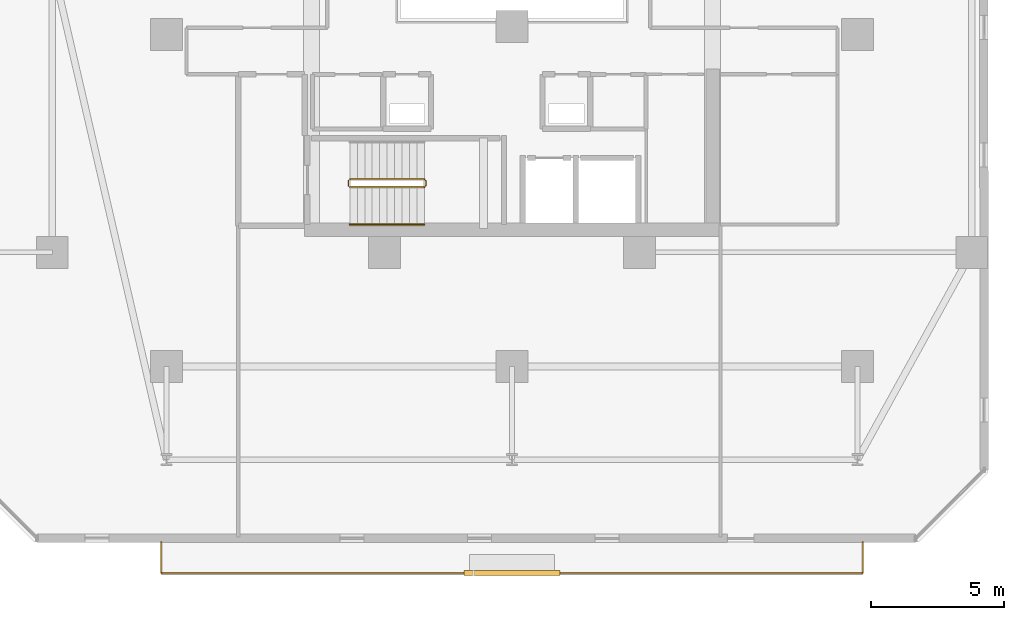
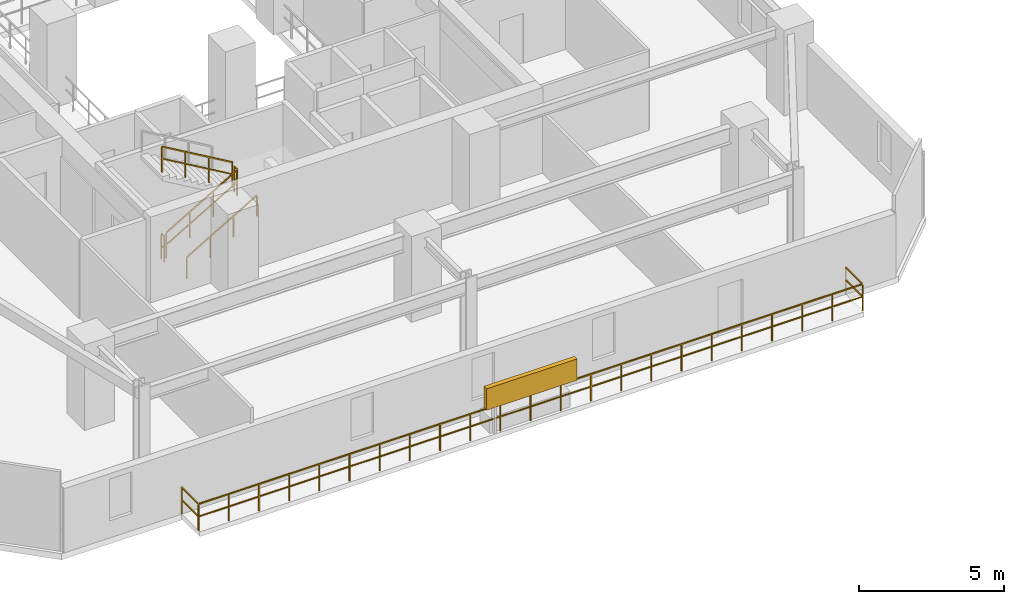
# One storey, part 28 of 32: 6 railings, 1 shading device.
"""IFC4 building model written with IfcOpenShell, lengths in metres."""

from ifc_helpers import new_model, si_unit, direction, frame, origin, origin_2d, place, context, subcontext, project, spatial, rectangle, extrude, material, type_object, element, save


model = new_model("IFC4")

# Units and contexts
model_context = context("Model", 3, precision=1e-05, world=origin(), true_north=direction((0.0, 1.0)))
body_context = subcontext(model_context, "Body", "Model", "MODEL_VIEW")
ifc_project = project(units=[si_unit("LENGTHUNIT", "METRE"), si_unit("AREAUNIT", "SQUARE_METRE"), si_unit("VOLUMEUNIT", "CUBIC_METRE"), si_unit("PLANEANGLEUNIT", "RADIAN"), si_unit("MASSUNIT", "GRAM", prefix="KILO")], contexts=[model_context])

# Site, building, storey
site_placement = place(None, origin())
site = spatial("IfcSite", under=ifc_project, at=site_placement, CompositionType="ELEMENT")
building_placement = place(site_placement, origin())
building = spatial("IfcBuilding", under=site, at=building_placement, Name="Thornwick Lancets Civic Towers", CompositionType="ELEMENT")
storey_placement = place(building_placement, frame((0.0, 0.0, 123.300048828125)))
storey = spatial("IfcBuildingStorey", under=building, at=storey_placement, Name="L32", CompositionType="ELEMENT", Elevation=123.300048828125)

# Railings
ifc_material_1 = material(Name="Brushed stainless steel S355", Category="steel")
railing_type_1 = type_object("IfcRailingType", Name="RAIL_HANDRAIL", PredefinedType="HANDRAIL", material=ifc_material_1)
railing_1_placement = place(storey_placement, frame((19.39990234375, 15.050048828125, 0.16357421875)))
element("IfcRailing", 1, at=railing_1_placement, inside=storey, type_object=railing_type_1, Name="L32 ST-A1 stair handrail 1", PredefinedType="HANDRAIL", context=body_context, shape_type="SweptSolid", body=[
    extrude(rectangle(XDim=0.048095703125, YDim=0.048095703125, at=origin_2d()), frame((0.0, 0.0, 0.8857421875), z_axis=(0.863360870873, 0.0, 0.504586966384), x_axis=(0.0, 1.0, 0.0)), (0.0, 0.0, 1.0), 3.2431640625),
    extrude(rectangle(XDim=0.0419921875, YDim=0.0419921875, at=origin_2d()), origin(), (0.0, 0.0, 1.0), 0.855712890625),
    extrude(rectangle(XDim=0.0419921875, YDim=0.0419921875, at=origin_2d()), frame((0.933349609375, 0.0, 0.54541015625)), (0.0, 0.0, 1.0), 0.855712890625),
    extrude(rectangle(XDim=0.0419921875, YDim=0.0419921875, at=origin_2d()), frame((1.86669921875, 0.0, 1.091064453125)), (0.0, 0.0, 1.0), 0.855712890625),
    extrude(rectangle(XDim=0.0419921875, YDim=0.0419921875, at=origin_2d()), frame((2.800048828125, 0.0, 1.636474609375)), (0.0, 0.0, 1.0), 0.855712890625),
])
ifc_material_2 = material(Name="Steel S355JR", Category="steel")
railing_type_2 = type_object("IfcRailingType", Name="RAIL_STAIR_GUARD", PredefinedType="GUARDRAIL", material=ifc_material_2)
railing_2_placement = place(storey_placement, frame((19.39990234375, 16.449951171875, 0.16357421875)))
element("IfcRailing", 2, at=railing_2_placement, inside=storey, type_object=railing_type_2, Name="L32 ST-A1 stair guard 1", PredefinedType="GUARDRAIL", context=body_context, shape_type="SweptSolid", body=[
    extrude(rectangle(XDim=0.048095703125, YDim=0.048095703125, at=origin_2d()), frame((0.0, 0.0, 1.076171875), z_axis=(0.863360870873, 0.0, 0.504586966384), x_axis=(0.0, 1.0, 0.0)), (0.0, 0.0, 1.0), 3.2431640625),
    extrude(rectangle(XDim=0.0419921875, YDim=0.0419921875, at=origin_2d()), frame((0.032470703125, 0.0, 0.591064453125), z_axis=(0.863360870873, 0.0, 0.504586966384), x_axis=(0.0, 1.0, 0.0)), (0.0, 0.0, 1.0), 1.006103515625),
    extrude(rectangle(XDim=0.0419921875, YDim=0.0419921875, at=origin_2d()), frame((0.9658203125, 0.0, 1.136474609375), z_axis=(0.863360870873, 0.0, 0.504586966384), x_axis=(0.0, 1.0, 0.0)), (0.0, 0.0, 1.0), 1.006103515625),
    extrude(rectangle(XDim=0.0419921875, YDim=0.0419921875, at=origin_2d()), frame((1.899169921875, 0.0, 1.681884765625), z_axis=(0.863360870873, 0.0, 0.504586966384), x_axis=(0.0, 1.0, 0.0)), (0.0, 0.0, 1.0), 1.006103515625),
    extrude(rectangle(XDim=0.0419921875, YDim=0.0419921875, at=origin_2d()), origin(), (0.0, 0.0, 1.0), 1.0458984375),
    extrude(rectangle(XDim=0.0419921875, YDim=0.0419921875, at=origin_2d()), frame((0.933349609375, 0.0, 0.54541015625)), (0.0, 0.0, 1.0), 1.0458984375),
    extrude(rectangle(XDim=0.0419921875, YDim=0.0419921875, at=origin_2d()), frame((1.86669921875, 0.0, 1.091064453125)), (0.0, 0.0, 1.0), 1.0458984375),
    extrude(rectangle(XDim=0.0419921875, YDim=0.0419921875, at=origin_2d()), frame((2.800048828125, 0.0, 1.636474609375)), (0.0, 0.0, 1.0), 1.0458984375),
])
railing_3_placement = place(storey_placement, frame((22.25, 16.5, 1.800048828125)))
element("IfcRailing", 3, at=railing_3_placement, inside=storey, type_object=railing_type_2, Name="L32 ST-A1 stair guard 2", PredefinedType="GUARDRAIL", context=body_context, shape_type="SweptSolid", body=[
    extrude(rectangle(XDim=0.048095703125, YDim=0.048095703125, at=origin_2d()), frame((0.0, 0.0, 1.076171875), z_axis=(0.0, 1.0, 0.0), x_axis=(-1.0, 0.0, 0.0)), (0.0, 0.0, 1.0), 0.199951171875),
    extrude(rectangle(XDim=0.0419921875, YDim=0.0419921875, at=origin_2d()), frame((0.0, 0.03759765625, 0.572021484375), z_axis=(0.0, 1.0, 0.0), x_axis=(-1.0, 0.0, 0.0)), (0.0, 0.0, 1.0), 0.125),
    extrude(rectangle(XDim=0.0419921875, YDim=0.0419921875, at=origin_2d()), origin(), (0.0, 0.0, 1.0), 1.0458984375),
    extrude(rectangle(XDim=0.0419921875, YDim=0.0419921875, at=origin_2d()), frame((0.0, 0.199951171875, 0.0)), (0.0, 0.0, 1.0), 1.0458984375),
])
railing_4_placement = place(storey_placement, frame((22.199951171875, 16.75, 1.963623046875)))
element("IfcRailing", 4, at=railing_4_placement, inside=storey, type_object=railing_type_2, Name="L32 ST-A1 stair guard 3", PredefinedType="GUARDRAIL", context=body_context, shape_type="SweptSolid", body=[
    extrude(rectangle(XDim=0.048095703125, YDim=0.048095703125, at=origin_2d()), frame((0.0, 0.0, 1.076171875), z_axis=(-0.863393664356, 0.0, 0.504530851732), x_axis=(0.0, -1.0, 0.0)), (0.0, 0.0, 1.0), 3.2431640625),
    extrude(rectangle(XDim=0.0419921875, YDim=0.0419921875, at=origin_2d()), frame((-0.032470703125, 0.0, 0.591064453125), z_axis=(-0.863393664356, 0.0, 0.504530851732), x_axis=(0.0, -1.0, 0.0)), (0.0, 0.0, 1.0), 1.006103515625),
    extrude(rectangle(XDim=0.0419921875, YDim=0.0419921875, at=origin_2d()), frame((-0.9658203125, 0.0, 1.136474609375), z_axis=(-0.863393664356, 0.0, 0.504530851732), x_axis=(0.0, -1.0, 0.0)), (0.0, 0.0, 1.0), 1.006103515625),
    extrude(rectangle(XDim=0.0419921875, YDim=0.0419921875, at=origin_2d()), frame((-1.899169921875, 0.0, 1.681884765625), z_axis=(-0.863393664356, 0.0, 0.504530851732), x_axis=(0.0, -1.0, 0.0)), (0.0, 0.0, 1.0), 1.006103515625),
    extrude(rectangle(XDim=0.0419921875, YDim=0.0419921875, at=origin_2d()), origin(), (0.0, 0.0, 1.0), 1.0458984375),
    extrude(rectangle(XDim=0.0419921875, YDim=0.0419921875, at=origin_2d()), frame((-0.933349609375, 0.0, 0.54541015625)), (0.0, 0.0, 1.0), 1.0458984375),
    extrude(rectangle(XDim=0.0419921875, YDim=0.0419921875, at=origin_2d()), frame((-1.86669921875, 0.0, 1.0908203125)), (0.0, 0.0, 1.0), 1.0458984375),
    extrude(rectangle(XDim=0.0419921875, YDim=0.0419921875, at=origin_2d()), frame((-2.800048828125, 0.0, 1.63623046875)), (0.0, 0.0, 1.0), 1.0458984375),
])
railing_5_placement = place(storey_placement, frame((19.35009765625, 16.5, 0.0)))
element("IfcRailing", 5, at=railing_5_placement, inside=storey, type_object=railing_type_2, Name="L32 ST-A1 stair guard 4", PredefinedType="GUARDRAIL", context=body_context, shape_type="SweptSolid", body=[
    extrude(rectangle(XDim=0.048095703125, YDim=0.048095703125, at=origin_2d()), frame((0.0, 0.0, 1.076171875), z_axis=(0.0, 1.0, 0.0), x_axis=(-1.0, 0.0, 0.0)), (0.0, 0.0, 1.0), 0.199951171875),
    extrude(rectangle(XDim=0.0419921875, YDim=0.0419921875, at=origin_2d()), frame((0.0, 0.03759765625, 0.572021484375), z_axis=(0.0, 1.0, 0.0), x_axis=(-1.0, 0.0, 0.0)), (0.0, 0.0, 1.0), 0.125),
    extrude(rectangle(XDim=0.0419921875, YDim=0.0419921875, at=origin_2d()), origin(), (0.0, 0.0, 1.0), 1.0458984375),
    extrude(rectangle(XDim=0.0419921875, YDim=0.0419921875, at=origin_2d()), frame((0.0, 0.199951171875, 0.0)), (0.0, 0.0, 1.0), 1.0458984375),
])
ifc_material_3 = material(Name="Terracotta-capped laminated glass balustrade S355", Category="masonry")
railing_type_3 = type_object("IfcRailingType", Name="RAIL_TERR_GUARD", PredefinedType="GUARDRAIL", material=ifc_material_3)
railing_6_placement = place(storey_placement, frame((12.300048828125, 3.10009765625, 0.0)))
element("IfcRailing", 6, at=railing_6_placement, inside=storey, type_object=railing_type_3, Name="L32 Tower A Balcony Guard S", PredefinedType="GUARDRAIL", context=body_context, shape_type="SweptSolid", body=[
    extrude(rectangle(XDim=0.048095703125, YDim=0.048095703125, at=origin_2d()), frame((0.0, 0.0, 1.1259765625), z_axis=(0.0, -1.0, 0.0), x_axis=(1.0, 0.0, 0.0)), (0.0, 0.0, 1.0), 1.138916015625),
    extrude(rectangle(XDim=0.0419921875, YDim=0.0419921875, at=origin_2d()), frame((0.0, -0.03759765625, 0.597900390625), z_axis=(0.0, -1.0, 0.0), x_axis=(1.0, 0.0, 0.0)), (0.0, 0.0, 1.0), 1.09521484375),
    extrude(rectangle(XDim=0.048095703125, YDim=0.048095703125, at=origin_2d()), frame((0.03125, -1.170166015625, 1.1259765625), z_axis=(1.0, 0.0, 0.0), x_axis=(0.0, 1.0, 0.0)), (0.0, 0.0, 1.0), 26.33740234375),
    extrude(rectangle(XDim=0.0419921875, YDim=0.0419921875, at=origin_2d()), frame((0.03759765625, -1.170166015625, 0.597900390625), z_axis=(1.0, 0.0, 0.0), x_axis=(0.0, 1.0, 0.0)), (0.0, 0.0, 1.0), 1.125),
    extrude(rectangle(XDim=0.0419921875, YDim=0.0419921875, at=origin_2d()), frame((1.237548828125, -1.170166015625, 0.597900390625), z_axis=(1.0, 0.0, 0.0), x_axis=(0.0, 1.0, 0.0)), (0.0, 0.0, 1.0), 1.125),
    extrude(rectangle(XDim=0.0419921875, YDim=0.0419921875, at=origin_2d()), frame((2.4375, -1.170166015625, 0.597900390625), z_axis=(1.0, 0.0, 0.0), x_axis=(0.0, 1.0, 0.0)), (0.0, 0.0, 1.0), 1.125),
    extrude(rectangle(XDim=0.0419921875, YDim=0.0419921875, at=origin_2d()), frame((3.637451171875, -1.170166015625, 0.597900390625), z_axis=(1.0, 0.0, 0.0), x_axis=(0.0, 1.0, 0.0)), (0.0, 0.0, 1.0), 1.125),
    extrude(rectangle(XDim=0.0419921875, YDim=0.0419921875, at=origin_2d()), frame((4.83740234375, -1.170166015625, 0.597900390625), z_axis=(1.0, 0.0, 0.0), x_axis=(0.0, 1.0, 0.0)), (0.0, 0.0, 1.0), 1.125),
    extrude(rectangle(XDim=0.0419921875, YDim=0.0419921875, at=origin_2d()), frame((6.037353515625, -1.170166015625, 0.597900390625), z_axis=(1.0, 0.0, 0.0), x_axis=(0.0, 1.0, 0.0)), (0.0, 0.0, 1.0), 1.125),
    extrude(rectangle(XDim=0.0419921875, YDim=0.0419921875, at=origin_2d()), frame((7.237548828125, -1.170166015625, 0.597900390625), z_axis=(1.0, 0.0, 0.0), x_axis=(0.0, 1.0, 0.0)), (0.0, 0.0, 1.0), 1.125),
    extrude(rectangle(XDim=0.0419921875, YDim=0.0419921875, at=origin_2d()), frame((8.4375, -1.170166015625, 0.597900390625), z_axis=(1.0, 0.0, 0.0), x_axis=(0.0, 1.0, 0.0)), (0.0, 0.0, 1.0), 1.125),
    extrude(rectangle(XDim=0.0419921875, YDim=0.0419921875, at=origin_2d()), frame((9.637451171875, -1.170166015625, 0.597900390625), z_axis=(1.0, 0.0, 0.0), x_axis=(0.0, 1.0, 0.0)), (0.0, 0.0, 1.0), 1.125),
    extrude(rectangle(XDim=0.0419921875, YDim=0.0419921875, at=origin_2d()), frame((10.83740234375, -1.170166015625, 0.597900390625), z_axis=(1.0, 0.0, 0.0), x_axis=(0.0, 1.0, 0.0)), (0.0, 0.0, 1.0), 1.125),
    extrude(rectangle(XDim=0.0419921875, YDim=0.0419921875, at=origin_2d()), frame((12.037353515625, -1.170166015625, 0.597900390625), z_axis=(1.0, 0.0, 0.0), x_axis=(0.0, 1.0, 0.0)), (0.0, 0.0, 1.0), 1.125),
    extrude(rectangle(XDim=0.0419921875, YDim=0.0419921875, at=origin_2d()), frame((13.237548828125, -1.170166015625, 0.597900390625), z_axis=(1.0, 0.0, 0.0), x_axis=(0.0, 1.0, 0.0)), (0.0, 0.0, 1.0), 1.125),
    extrude(rectangle(XDim=0.0419921875, YDim=0.0419921875, at=origin_2d()), frame((14.4375, -1.170166015625, 0.597900390625), z_axis=(1.0, 0.0, 0.0), x_axis=(0.0, 1.0, 0.0)), (0.0, 0.0, 1.0), 1.125),
    extrude(rectangle(XDim=0.0419921875, YDim=0.0419921875, at=origin_2d()), frame((15.637451171875, -1.170166015625, 0.597900390625), z_axis=(1.0, 0.0, 0.0), x_axis=(0.0, 1.0, 0.0)), (0.0, 0.0, 1.0), 1.125),
    extrude(rectangle(XDim=0.0419921875, YDim=0.0419921875, at=origin_2d()), frame((16.83740234375, -1.170166015625, 0.597900390625), z_axis=(1.0, 0.0, 0.0), x_axis=(0.0, 1.0, 0.0)), (0.0, 0.0, 1.0), 1.125),
    extrude(rectangle(XDim=0.0419921875, YDim=0.0419921875, at=origin_2d()), frame((18.037353515625, -1.170166015625, 0.597900390625), z_axis=(1.0, 0.0, 0.0), x_axis=(0.0, 1.0, 0.0)), (0.0, 0.0, 1.0), 1.125),
    extrude(rectangle(XDim=0.0419921875, YDim=0.0419921875, at=origin_2d()), frame((19.2373046875, -1.170166015625, 0.597900390625), z_axis=(1.0, 0.0, 0.0), x_axis=(0.0, 1.0, 0.0)), (0.0, 0.0, 1.0), 1.125),
    extrude(rectangle(XDim=0.0419921875, YDim=0.0419921875, at=origin_2d()), frame((20.4375, -1.170166015625, 0.597900390625), z_axis=(1.0, 0.0, 0.0), x_axis=(0.0, 1.0, 0.0)), (0.0, 0.0, 1.0), 1.125),
    extrude(rectangle(XDim=0.0419921875, YDim=0.0419921875, at=origin_2d()), frame((21.637451171875, -1.170166015625, 0.597900390625), z_axis=(1.0, 0.0, 0.0), x_axis=(0.0, 1.0, 0.0)), (0.0, 0.0, 1.0), 1.125),
    extrude(rectangle(XDim=0.0419921875, YDim=0.0419921875, at=origin_2d()), frame((22.83740234375, -1.170166015625, 0.597900390625), z_axis=(1.0, 0.0, 0.0), x_axis=(0.0, 1.0, 0.0)), (0.0, 0.0, 1.0), 1.125),
    extrude(rectangle(XDim=0.0419921875, YDim=0.0419921875, at=origin_2d()), frame((24.037353515625, -1.170166015625, 0.597900390625), z_axis=(1.0, 0.0, 0.0), x_axis=(0.0, 1.0, 0.0)), (0.0, 0.0, 1.0), 1.125),
    extrude(rectangle(XDim=0.0419921875, YDim=0.0419921875, at=origin_2d()), frame((25.2373046875, -1.170166015625, 0.597900390625), z_axis=(1.0, 0.0, 0.0), x_axis=(0.0, 1.0, 0.0)), (0.0, 0.0, 1.0), 1.125),
    extrude(rectangle(XDim=0.048095703125, YDim=0.048095703125, at=origin_2d()), frame((26.39990234375, -1.138916015625, 1.1259765625), z_axis=(0.0, 1.0, 0.0), x_axis=(-1.0, 0.0, 0.0)), (0.0, 0.0, 1.0), 1.138916015625),
    extrude(rectangle(XDim=0.0419921875, YDim=0.0419921875, at=origin_2d()), frame((26.39990234375, -1.132568359375, 0.597900390625), z_axis=(0.0, 1.0, 0.0), x_axis=(-1.0, 0.0, 0.0)), (0.0, 0.0, 1.0), 1.09521484375),
    extrude(rectangle(XDim=0.0419921875, YDim=0.0419921875, at=origin_2d()), origin(), (0.0, 0.0, 1.0), 1.095703125),
    extrude(rectangle(XDim=0.0419921875, YDim=0.0419921875, at=origin_2d()), frame((0.0, -1.170166015625, 0.0)), (0.0, 0.0, 1.0), 1.095703125),
    extrude(rectangle(XDim=0.0419921875, YDim=0.0419921875, at=origin_2d()), frame((1.199951171875, -1.170166015625, 0.0)), (0.0, 0.0, 1.0), 1.095703125),
    extrude(rectangle(XDim=0.0419921875, YDim=0.0419921875, at=origin_2d()), frame((2.39990234375, -1.170166015625, 0.0)), (0.0, 0.0, 1.0), 1.095703125),
    extrude(rectangle(XDim=0.0419921875, YDim=0.0419921875, at=origin_2d()), frame((3.60009765625, -1.170166015625, 0.0)), (0.0, 0.0, 1.0), 1.095703125),
    extrude(rectangle(XDim=0.0419921875, YDim=0.0419921875, at=origin_2d()), frame((4.800048828125, -1.170166015625, 0.0)), (0.0, 0.0, 1.0), 1.095703125),
    extrude(rectangle(XDim=0.0419921875, YDim=0.0419921875, at=origin_2d()), frame((6.0, -1.170166015625, 0.0)), (0.0, 0.0, 1.0), 1.095703125),
    extrude(rectangle(XDim=0.0419921875, YDim=0.0419921875, at=origin_2d()), frame((7.199951171875, -1.170166015625, 0.0)), (0.0, 0.0, 1.0), 1.095703125),
    extrude(rectangle(XDim=0.0419921875, YDim=0.0419921875, at=origin_2d()), frame((8.39990234375, -1.170166015625, 0.0)), (0.0, 0.0, 1.0), 1.095703125),
    extrude(rectangle(XDim=0.0419921875, YDim=0.0419921875, at=origin_2d()), frame((9.599853515625, -1.170166015625, 0.0)), (0.0, 0.0, 1.0), 1.095703125),
    extrude(rectangle(XDim=0.0419921875, YDim=0.0419921875, at=origin_2d()), frame((10.800048828125, -1.170166015625, 0.0)), (0.0, 0.0, 1.0), 1.095703125),
    extrude(rectangle(XDim=0.0419921875, YDim=0.0419921875, at=origin_2d()), frame((12.0, -1.170166015625, 0.0)), (0.0, 0.0, 1.0), 1.095703125),
    extrude(rectangle(XDim=0.0419921875, YDim=0.0419921875, at=origin_2d()), frame((13.199951171875, -1.170166015625, 0.0)), (0.0, 0.0, 1.0), 1.095703125),
    extrude(rectangle(XDim=0.0419921875, YDim=0.0419921875, at=origin_2d()), frame((14.39990234375, -1.170166015625, 0.0)), (0.0, 0.0, 1.0), 1.095703125),
    extrude(rectangle(XDim=0.0419921875, YDim=0.0419921875, at=origin_2d()), frame((15.599853515625, -1.170166015625, 0.0)), (0.0, 0.0, 1.0), 1.095703125),
    extrude(rectangle(XDim=0.0419921875, YDim=0.0419921875, at=origin_2d()), frame((16.800048828125, -1.170166015625, 0.0)), (0.0, 0.0, 1.0), 1.095703125),
    extrude(rectangle(XDim=0.0419921875, YDim=0.0419921875, at=origin_2d()), frame((18.0, -1.170166015625, 0.0)), (0.0, 0.0, 1.0), 1.095703125),
    extrude(rectangle(XDim=0.0419921875, YDim=0.0419921875, at=origin_2d()), frame((19.199951171875, -1.170166015625, 0.0)), (0.0, 0.0, 1.0), 1.095703125),
    extrude(rectangle(XDim=0.0419921875, YDim=0.0419921875, at=origin_2d()), frame((20.39990234375, -1.170166015625, 0.0)), (0.0, 0.0, 1.0), 1.095703125),
    extrude(rectangle(XDim=0.0419921875, YDim=0.0419921875, at=origin_2d()), frame((21.599853515625, -1.170166015625, 0.0)), (0.0, 0.0, 1.0), 1.095703125),
    extrude(rectangle(XDim=0.0419921875, YDim=0.0419921875, at=origin_2d()), frame((22.7998046875, -1.170166015625, 0.0)), (0.0, 0.0, 1.0), 1.095703125),
    extrude(rectangle(XDim=0.0419921875, YDim=0.0419921875, at=origin_2d()), frame((24.0, -1.170166015625, 0.0)), (0.0, 0.0, 1.0), 1.095703125),
    extrude(rectangle(XDim=0.0419921875, YDim=0.0419921875, at=origin_2d()), frame((25.199951171875, -1.170166015625, 0.0)), (0.0, 0.0, 1.0), 1.095703125),
    extrude(rectangle(XDim=0.0419921875, YDim=0.0419921875, at=origin_2d()), frame((26.39990234375, -1.170166015625, 0.0)), (0.0, 0.0, 1.0), 1.095703125),
    extrude(rectangle(XDim=0.0419921875, YDim=0.0419921875, at=origin_2d()), frame((26.39990234375, 0.0, 0.0)), (0.0, 0.0, 1.0), 1.095703125),
])

# Shading device
ifc_material_4 = material(Name="Extruded terracotta baguette solar screen", Category="masonry")
shading_device_type = type_object("IfcShadingDeviceType", Name="SHADE_BAGUETTE", PredefinedType="JALOUSIE", material=ifc_material_4)
shading_device_placement = place(storey_placement, frame((25.5, 1.93994140625, 1.1201171875), z_axis=(0.0, 0.0, 1.0), x_axis=(1.0, 0.0, 0.0)))
element("IfcShadingDevice", 7, at=shading_device_placement, inside=storey, type_object=shading_device_type, Name="L32 Tower A Terracotta Baguette Screen S", PredefinedType="JALOUSIE", context=body_context, shape_type="SweptSolid", body=[
    extrude(rectangle(XDim=3.60009765625, YDim=0.179931640625, at=origin_2d()), origin(), (0.0, 0.0, 1.0), 0.89990234375),
])

save(model, "model.ifc")
